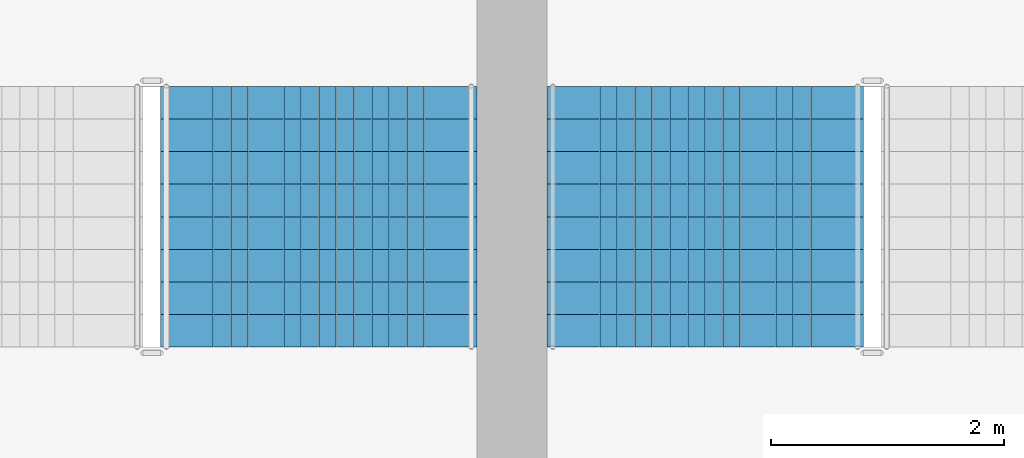
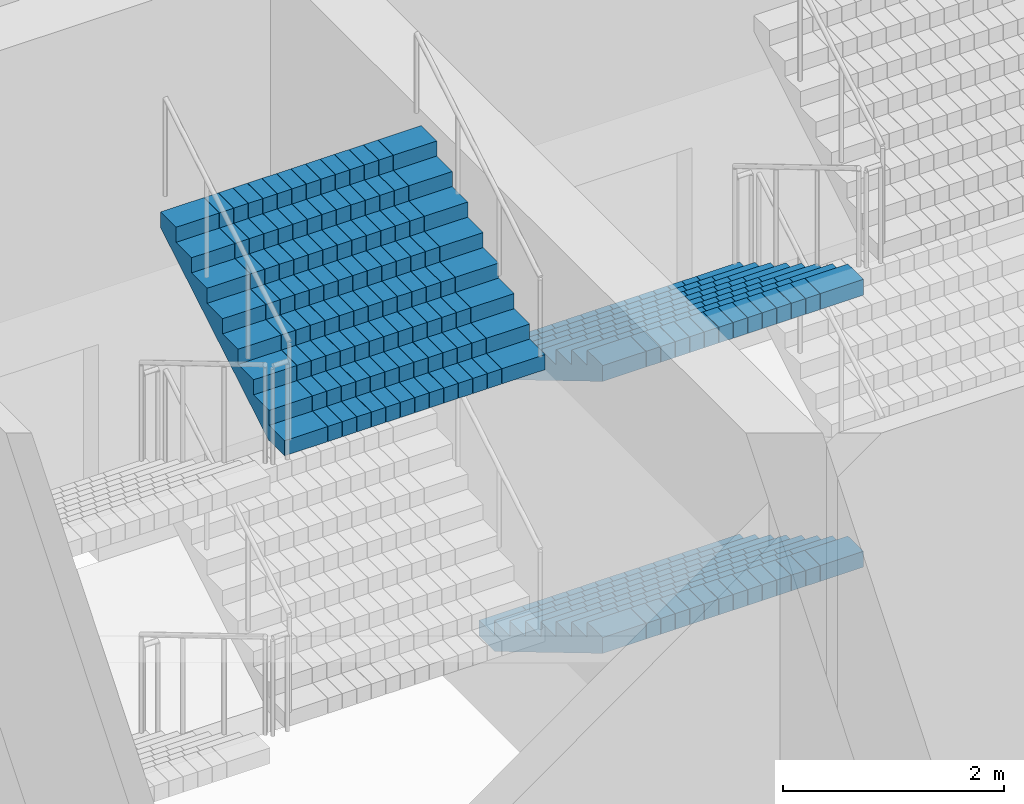
# One storey, part 19 of 41: 3 stair flights, 2 elements without a shape of their own.
"""IFC4 building model written with IfcOpenShell, lengths in metres."""

from ifc_helpers import new_model, si_unit, direction, frame, origin, place, context, subcontext, project, spatial, polyline, outline, extrude, material, type_object, element, aggregate, save


model = new_model("IFC4")

# Units and contexts
model_context = context("Model", 3, precision=1e-05, world=origin(), true_north=direction((0.0, 1.0)))
body_context = subcontext(model_context, "Body", "Model", "MODEL_VIEW")
ifc_project = project(units=[si_unit("LENGTHUNIT", "METRE"), si_unit("AREAUNIT", "SQUARE_METRE"), si_unit("VOLUMEUNIT", "CUBIC_METRE"), si_unit("PLANEANGLEUNIT", "RADIAN"), si_unit("MASSUNIT", "GRAM", prefix="KILO")], contexts=[model_context])

# Site, building, storey
site_placement = place(None, origin())
site = spatial("IfcSite", under=ifc_project, at=site_placement, CompositionType="ELEMENT")
building_placement = place(site_placement, origin())
building = spatial("IfcBuilding", under=site, at=building_placement, Name="Corbelhall Arena Tower", CompositionType="ELEMENT")
storey_placement = place(building_placement, frame((0.0, 0.0, 19.0)))
storey = spatial("IfcBuildingStorey", under=building, at=storey_placement, Name="L02", CompositionType="ELEMENT", Elevation=19.0)

# Stair, stair flights
ifc_material = material(Name="Reinforced concrete C40/50", Category="concrete")
stair_type = type_object("IfcStairType", Name="AR-EXIT-STAIR", PredefinedType="HALF_TURN_STAIR", material=ifc_material)
stair_1_placement = place(storey_placement, origin())
stair_1 = element("IfcStair", 1, at=stair_1_placement, inside=storey, type_object=stair_type, Name="L02 exit stair AS7", PredefinedType="HALF_TURN_STAIR")
stair_flight_type = type_object("IfcStairFlightType", Name="AR-EXIT-FLIGHT", PredefinedType="STRAIGHT", material=ifc_material)
stair_flight_1_placement = place(storey_placement, frame((-38.840087890625, -27.320068359375, 0.0), z_axis=(0.0, 0.0, 1.0), x_axis=(0.0, -1.0, 0.0)))
stair_flight_1 = element("IfcStairFlight", 2, at=stair_flight_1_placement, type_object=stair_flight_type, Name="AS7 flight 1", NumberOfRisers=9, NumberOfTreads=8, PredefinedType="STRAIGHT", RiserHeight=0.166666667, TreadLength=0.28, context=body_context, shape_type="SweptSolid", body=[
    extrude(outline(polyline([(0.0, 0.0), (0.0, 0.166748046875), (0.280029296875, 0.166748046875), (0.280029296875, 0.333251953125), (0.56005859375, 0.333251953125), (0.56005859375, 0.5), (0.840087890625, 0.5), (0.840087890625, 0.666748046875), (1.1201171875, 0.666748046875), (1.1201171875, 0.833251953125), (1.39990234375, 0.833251953125), (1.39990234375, 1.0), (1.679931640625, 1.0), (1.679931640625, 1.166748046875), (1.9599609375, 1.166748046875), (1.9599609375, 1.333251953125), (2.239990234375, 1.333251953125), (2.239990234375, 1.5), (2.239990234375, 1.158935546875), (0.29296875, 0.0), (0.0, 0.0)])), frame((0.0, 1.35986328125, 0.0), z_axis=(0.0, -1.0, 0.0), x_axis=(1.0, 0.0, 0.0)), (0.0, 0.0, 1.0), 0.449951171875),
    extrude(outline(polyline([(0.0, 0.0), (0.0, 0.166748046875), (0.280029296875, 0.166748046875), (0.280029296875, 0.333251953125), (0.56005859375, 0.333251953125), (0.56005859375, 0.5), (0.840087890625, 0.5), (0.840087890625, 0.666748046875), (1.1201171875, 0.666748046875), (1.1201171875, 0.833251953125), (1.39990234375, 0.833251953125), (1.39990234375, 1.0), (1.679931640625, 1.0), (1.679931640625, 1.166748046875), (1.9599609375, 1.166748046875), (1.9599609375, 1.333251953125), (2.239990234375, 1.333251953125), (2.239990234375, 1.5), (2.239990234375, 1.158935546875), (0.29296875, 0.0), (0.0, 0.0)])), frame((0.0, 0.906005859375, 0.0), z_axis=(0.0, -1.0, 0.0), x_axis=(1.0, 0.0, 0.0)), (0.0, 0.0, 1.0), 0.147216796875),
    extrude(outline(polyline([(0.0, 0.0), (0.0, 0.166748046875), (0.280029296875, 0.166748046875), (0.280029296875, 0.333251953125), (0.56005859375, 0.333251953125), (0.56005859375, 0.5), (0.840087890625, 0.5), (0.840087890625, 0.666748046875), (1.1201171875, 0.666748046875), (1.1201171875, 0.833251953125), (1.39990234375, 0.833251953125), (1.39990234375, 1.0), (1.679931640625, 1.0), (1.679931640625, 1.166748046875), (1.9599609375, 1.166748046875), (1.9599609375, 1.333251953125), (2.239990234375, 1.333251953125), (2.239990234375, 1.5), (2.239990234375, 1.158935546875), (0.29296875, 0.0), (0.0, 0.0)])), frame((0.0, 0.754638671875, 0.0), z_axis=(0.0, -1.0, 0.0), x_axis=(1.0, 0.0, 0.0)), (0.0, 0.0, 1.0), 0.147216796875),
    extrude(outline(polyline([(0.0, 0.0), (0.0, 0.166748046875), (0.280029296875, 0.166748046875), (0.280029296875, 0.333251953125), (0.56005859375, 0.333251953125), (0.56005859375, 0.5), (0.840087890625, 0.5), (0.840087890625, 0.666748046875), (1.1201171875, 0.666748046875), (1.1201171875, 0.833251953125), (1.39990234375, 0.833251953125), (1.39990234375, 1.0), (1.679931640625, 1.0), (1.679931640625, 1.166748046875), (1.9599609375, 1.166748046875), (1.9599609375, 1.333251953125), (2.239990234375, 1.333251953125), (2.239990234375, 1.5), (2.239990234375, 1.158935546875), (0.29296875, 0.0), (0.0, 0.0)])), frame((0.0, 0.603271484375, 0.0), z_axis=(0.0, -1.0, 0.0), x_axis=(1.0, 0.0, 0.0)), (0.0, 0.0, 1.0), 0.147216796875),
    extrude(outline(polyline([(0.0, 0.0), (0.0, 0.166748046875), (0.280029296875, 0.166748046875), (0.280029296875, 0.333251953125), (0.56005859375, 0.333251953125), (0.56005859375, 0.5), (0.840087890625, 0.5), (0.840087890625, 0.666748046875), (1.1201171875, 0.666748046875), (1.1201171875, 0.833251953125), (1.39990234375, 0.833251953125), (1.39990234375, 1.0), (1.679931640625, 1.0), (1.679931640625, 1.166748046875), (1.9599609375, 1.166748046875), (1.9599609375, 1.333251953125), (2.239990234375, 1.333251953125), (2.239990234375, 1.5), (2.239990234375, 1.158935546875), (0.29296875, 0.0), (0.0, 0.0)])), frame((0.0, 0.451904296875, 0.0), z_axis=(0.0, -1.0, 0.0), x_axis=(1.0, 0.0, 0.0)), (0.0, 0.0, 1.0), 0.147216796875),
    extrude(outline(polyline([(0.0, 0.0), (0.0, 0.166748046875), (0.280029296875, 0.166748046875), (0.280029296875, 0.333251953125), (0.56005859375, 0.333251953125), (0.56005859375, 0.5), (0.840087890625, 0.5), (0.840087890625, 0.666748046875), (1.1201171875, 0.666748046875), (1.1201171875, 0.833251953125), (1.39990234375, 0.833251953125), (1.39990234375, 1.0), (1.679931640625, 1.0), (1.679931640625, 1.166748046875), (1.9599609375, 1.166748046875), (1.9599609375, 1.333251953125), (2.239990234375, 1.333251953125), (2.239990234375, 1.5), (2.239990234375, 1.158935546875), (0.29296875, 0.0), (0.0, 0.0)])), frame((0.0, 0.30078125, 0.0), z_axis=(0.0, -1.0, 0.0), x_axis=(1.0, 0.0, 0.0)), (0.0, 0.0, 1.0), 0.147216796875),
    extrude(outline(polyline([(0.0, 0.0), (0.0, 0.166748046875), (0.280029296875, 0.166748046875), (0.280029296875, 0.333251953125), (0.56005859375, 0.333251953125), (0.56005859375, 0.5), (0.840087890625, 0.5), (0.840087890625, 0.666748046875), (1.1201171875, 0.666748046875), (1.1201171875, 0.833251953125), (1.39990234375, 0.833251953125), (1.39990234375, 1.0), (1.679931640625, 1.0), (1.679931640625, 1.166748046875), (1.9599609375, 1.166748046875), (1.9599609375, 1.333251953125), (2.239990234375, 1.333251953125), (2.239990234375, 1.5), (2.239990234375, 1.158935546875), (0.29296875, 0.0), (0.0, 0.0)])), frame((0.0, 0.1494140625, 0.0), z_axis=(0.0, -1.0, 0.0), x_axis=(1.0, 0.0, 0.0)), (0.0, 0.0, 1.0), 0.147216796875),
    extrude(outline(polyline([(0.0, 0.0), (0.0, 0.166748046875), (0.280029296875, 0.166748046875), (0.280029296875, 0.333251953125), (0.56005859375, 0.333251953125), (0.56005859375, 0.5), (0.840087890625, 0.5), (0.840087890625, 0.666748046875), (1.1201171875, 0.666748046875), (1.1201171875, 0.833251953125), (1.39990234375, 0.833251953125), (1.39990234375, 1.0), (1.679931640625, 1.0), (1.679931640625, 1.166748046875), (1.9599609375, 1.166748046875), (1.9599609375, 1.333251953125), (2.239990234375, 1.333251953125), (2.239990234375, 1.5), (2.239990234375, 1.158935546875), (0.29296875, 0.0), (0.0, 0.0)])), frame((0.0, -0.001953125, 0.0), z_axis=(0.0, -1.0, 0.0), x_axis=(1.0, 0.0, 0.0)), (0.0, 0.0, 1.0), 0.147216796875),
    extrude(outline(polyline([(0.0, 0.0), (0.0, 0.166748046875), (0.280029296875, 0.166748046875), (0.280029296875, 0.333251953125), (0.56005859375, 0.333251953125), (0.56005859375, 0.5), (0.840087890625, 0.5), (0.840087890625, 0.666748046875), (1.1201171875, 0.666748046875), (1.1201171875, 0.833251953125), (1.39990234375, 0.833251953125), (1.39990234375, 1.0), (1.679931640625, 1.0), (1.679931640625, 1.166748046875), (1.9599609375, 1.166748046875), (1.9599609375, 1.333251953125), (2.239990234375, 1.333251953125), (2.239990234375, 1.5), (2.239990234375, 1.158935546875), (0.29296875, 0.0), (0.0, 0.0)])), frame((0.0, -0.1533203125, 0.0), z_axis=(0.0, -1.0, 0.0), x_axis=(1.0, 0.0, 0.0)), (0.0, 0.0, 1.0), 0.147216796875),
    extrude(outline(polyline([(0.0, 0.0), (0.0, 0.166748046875), (0.280029296875, 0.166748046875), (0.280029296875, 0.333251953125), (0.56005859375, 0.333251953125), (0.56005859375, 0.5), (0.840087890625, 0.5), (0.840087890625, 0.666748046875), (1.1201171875, 0.666748046875), (1.1201171875, 0.833251953125), (1.39990234375, 0.833251953125), (1.39990234375, 1.0), (1.679931640625, 1.0), (1.679931640625, 1.166748046875), (1.9599609375, 1.166748046875), (1.9599609375, 1.333251953125), (2.239990234375, 1.333251953125), (2.239990234375, 1.5), (2.239990234375, 1.158935546875), (0.29296875, 0.0), (0.0, 0.0)])), frame((0.0, -0.3046875, 0.0), z_axis=(0.0, -1.0, 0.0), x_axis=(1.0, 0.0, 0.0)), (0.0, 0.0, 1.0), 0.147216796875),
    extrude(outline(polyline([(0.0, 0.0), (0.0, 0.166748046875), (0.280029296875, 0.166748046875), (0.280029296875, 0.333251953125), (0.56005859375, 0.333251953125), (0.56005859375, 0.5), (0.840087890625, 0.5), (0.840087890625, 0.666748046875), (1.1201171875, 0.666748046875), (1.1201171875, 0.833251953125), (1.39990234375, 0.833251953125), (1.39990234375, 1.0), (1.679931640625, 1.0), (1.679931640625, 1.166748046875), (1.9599609375, 1.166748046875), (1.9599609375, 1.333251953125), (2.239990234375, 1.333251953125), (2.239990234375, 1.5), (2.239990234375, 1.158935546875), (0.29296875, 0.0), (0.0, 0.0)])), frame((0.0, -0.4560546875, 0.0), z_axis=(0.0, -1.0, 0.0), x_axis=(1.0, 0.0, 0.0)), (0.0, 0.0, 1.0), 0.147216796875),
    extrude(outline(polyline([(0.0, 0.0), (0.0, 0.166748046875), (0.280029296875, 0.166748046875), (0.280029296875, 0.333251953125), (0.56005859375, 0.333251953125), (0.56005859375, 0.5), (0.840087890625, 0.5), (0.840087890625, 0.666748046875), (1.1201171875, 0.666748046875), (1.1201171875, 0.833251953125), (1.39990234375, 0.833251953125), (1.39990234375, 1.0), (1.679931640625, 1.0), (1.679931640625, 1.166748046875), (1.9599609375, 1.166748046875), (1.9599609375, 1.333251953125), (2.239990234375, 1.333251953125), (2.239990234375, 1.5), (2.239990234375, 1.158935546875), (0.29296875, 0.0), (0.0, 0.0)])), frame((0.0, -0.607421875, 0.0), z_axis=(0.0, -1.0, 0.0), x_axis=(1.0, 0.0, 0.0)), (0.0, 0.0, 1.0), 0.147216796875),
    extrude(outline(polyline([(0.0, 0.0), (0.0, 0.166748046875), (0.280029296875, 0.166748046875), (0.280029296875, 0.333251953125), (0.56005859375, 0.333251953125), (0.56005859375, 0.5), (0.840087890625, 0.5), (0.840087890625, 0.666748046875), (1.1201171875, 0.666748046875), (1.1201171875, 0.833251953125), (1.39990234375, 0.833251953125), (1.39990234375, 1.0), (1.679931640625, 1.0), (1.679931640625, 1.166748046875), (1.9599609375, 1.166748046875), (1.9599609375, 1.333251953125), (2.239990234375, 1.333251953125), (2.239990234375, 1.5), (2.239990234375, 1.158935546875), (0.29296875, 0.0), (0.0, 0.0)])), frame((0.0, -0.758544921875, 0.0), z_axis=(0.0, -1.0, 0.0), x_axis=(1.0, 0.0, 0.0)), (0.0, 0.0, 1.0), 0.147216796875),
    extrude(outline(polyline([(0.0, 0.0), (0.0, 0.166748046875), (0.280029296875, 0.166748046875), (0.280029296875, 0.333251953125), (0.56005859375, 0.333251953125), (0.56005859375, 0.5), (0.840087890625, 0.5), (0.840087890625, 0.666748046875), (1.1201171875, 0.666748046875), (1.1201171875, 0.833251953125), (1.39990234375, 0.833251953125), (1.39990234375, 1.0), (1.679931640625, 1.0), (1.679931640625, 1.166748046875), (1.9599609375, 1.166748046875), (1.9599609375, 1.333251953125), (2.239990234375, 1.333251953125), (2.239990234375, 1.5), (2.239990234375, 1.158935546875), (0.29296875, 0.0), (0.0, 0.0)])), frame((0.0, -0.909912109375, 0.0), z_axis=(0.0, -1.0, 0.0), x_axis=(1.0, 0.0, 0.0)), (0.0, 0.0, 1.0), 0.449951171875),
])
stair_flight_2_placement = place(storey_placement, frame((-38.840087890625, -27.320068359375, 3.0), z_axis=(0.0, 0.0, 1.0), x_axis=(0.0, -1.0, 0.0)))
stair_flight_2 = element("IfcStairFlight", 3, at=stair_flight_2_placement, type_object=stair_flight_type, Name="AS7 flight 3", NumberOfRisers=9, NumberOfTreads=8, PredefinedType="STRAIGHT", RiserHeight=0.166666667, TreadLength=0.28, context=body_context, shape_type="SweptSolid", body=[
    extrude(outline(polyline([(0.0, 0.0), (0.0, 0.166748046875), (0.280029296875, 0.166748046875), (0.280029296875, 0.333251953125), (0.56005859375, 0.333251953125), (0.56005859375, 0.5), (0.840087890625, 0.5), (0.840087890625, 0.666748046875), (1.1201171875, 0.666748046875), (1.1201171875, 0.833251953125), (1.39990234375, 0.833251953125), (1.39990234375, 1.0), (1.679931640625, 1.0), (1.679931640625, 1.166748046875), (1.9599609375, 1.166748046875), (1.9599609375, 1.333251953125), (2.239990234375, 1.333251953125), (2.239990234375, 1.5), (2.239990234375, 1.158935546875), (0.29296875, 0.0), (0.0, 0.0)])), frame((0.0, 1.35986328125, 0.0), z_axis=(0.0, -1.0, 0.0), x_axis=(1.0, 0.0, 0.0)), (0.0, 0.0, 1.0), 0.449951171875),
    extrude(outline(polyline([(0.0, 0.0), (0.0, 0.166748046875), (0.280029296875, 0.166748046875), (0.280029296875, 0.333251953125), (0.56005859375, 0.333251953125), (0.56005859375, 0.5), (0.840087890625, 0.5), (0.840087890625, 0.666748046875), (1.1201171875, 0.666748046875), (1.1201171875, 0.833251953125), (1.39990234375, 0.833251953125), (1.39990234375, 1.0), (1.679931640625, 1.0), (1.679931640625, 1.166748046875), (1.9599609375, 1.166748046875), (1.9599609375, 1.333251953125), (2.239990234375, 1.333251953125), (2.239990234375, 1.5), (2.239990234375, 1.158935546875), (0.29296875, 0.0), (0.0, 0.0)])), frame((0.0, 0.906005859375, 0.0), z_axis=(0.0, -1.0, 0.0), x_axis=(1.0, 0.0, 0.0)), (0.0, 0.0, 1.0), 0.147216796875),
    extrude(outline(polyline([(0.0, 0.0), (0.0, 0.166748046875), (0.280029296875, 0.166748046875), (0.280029296875, 0.333251953125), (0.56005859375, 0.333251953125), (0.56005859375, 0.5), (0.840087890625, 0.5), (0.840087890625, 0.666748046875), (1.1201171875, 0.666748046875), (1.1201171875, 0.833251953125), (1.39990234375, 0.833251953125), (1.39990234375, 1.0), (1.679931640625, 1.0), (1.679931640625, 1.166748046875), (1.9599609375, 1.166748046875), (1.9599609375, 1.333251953125), (2.239990234375, 1.333251953125), (2.239990234375, 1.5), (2.239990234375, 1.158935546875), (0.29296875, 0.0), (0.0, 0.0)])), frame((0.0, 0.754638671875, 0.0), z_axis=(0.0, -1.0, 0.0), x_axis=(1.0, 0.0, 0.0)), (0.0, 0.0, 1.0), 0.147216796875),
    extrude(outline(polyline([(0.0, 0.0), (0.0, 0.166748046875), (0.280029296875, 0.166748046875), (0.280029296875, 0.333251953125), (0.56005859375, 0.333251953125), (0.56005859375, 0.5), (0.840087890625, 0.5), (0.840087890625, 0.666748046875), (1.1201171875, 0.666748046875), (1.1201171875, 0.833251953125), (1.39990234375, 0.833251953125), (1.39990234375, 1.0), (1.679931640625, 1.0), (1.679931640625, 1.166748046875), (1.9599609375, 1.166748046875), (1.9599609375, 1.333251953125), (2.239990234375, 1.333251953125), (2.239990234375, 1.5), (2.239990234375, 1.158935546875), (0.29296875, 0.0), (0.0, 0.0)])), frame((0.0, 0.603271484375, 0.0), z_axis=(0.0, -1.0, 0.0), x_axis=(1.0, 0.0, 0.0)), (0.0, 0.0, 1.0), 0.147216796875),
    extrude(outline(polyline([(0.0, 0.0), (0.0, 0.166748046875), (0.280029296875, 0.166748046875), (0.280029296875, 0.333251953125), (0.56005859375, 0.333251953125), (0.56005859375, 0.5), (0.840087890625, 0.5), (0.840087890625, 0.666748046875), (1.1201171875, 0.666748046875), (1.1201171875, 0.833251953125), (1.39990234375, 0.833251953125), (1.39990234375, 1.0), (1.679931640625, 1.0), (1.679931640625, 1.166748046875), (1.9599609375, 1.166748046875), (1.9599609375, 1.333251953125), (2.239990234375, 1.333251953125), (2.239990234375, 1.5), (2.239990234375, 1.158935546875), (0.29296875, 0.0), (0.0, 0.0)])), frame((0.0, 0.451904296875, 0.0), z_axis=(0.0, -1.0, 0.0), x_axis=(1.0, 0.0, 0.0)), (0.0, 0.0, 1.0), 0.147216796875),
    extrude(outline(polyline([(0.0, 0.0), (0.0, 0.166748046875), (0.280029296875, 0.166748046875), (0.280029296875, 0.333251953125), (0.56005859375, 0.333251953125), (0.56005859375, 0.5), (0.840087890625, 0.5), (0.840087890625, 0.666748046875), (1.1201171875, 0.666748046875), (1.1201171875, 0.833251953125), (1.39990234375, 0.833251953125), (1.39990234375, 1.0), (1.679931640625, 1.0), (1.679931640625, 1.166748046875), (1.9599609375, 1.166748046875), (1.9599609375, 1.333251953125), (2.239990234375, 1.333251953125), (2.239990234375, 1.5), (2.239990234375, 1.158935546875), (0.29296875, 0.0), (0.0, 0.0)])), frame((0.0, 0.30078125, 0.0), z_axis=(0.0, -1.0, 0.0), x_axis=(1.0, 0.0, 0.0)), (0.0, 0.0, 1.0), 0.147216796875),
    extrude(outline(polyline([(0.0, 0.0), (0.0, 0.166748046875), (0.280029296875, 0.166748046875), (0.280029296875, 0.333251953125), (0.56005859375, 0.333251953125), (0.56005859375, 0.5), (0.840087890625, 0.5), (0.840087890625, 0.666748046875), (1.1201171875, 0.666748046875), (1.1201171875, 0.833251953125), (1.39990234375, 0.833251953125), (1.39990234375, 1.0), (1.679931640625, 1.0), (1.679931640625, 1.166748046875), (1.9599609375, 1.166748046875), (1.9599609375, 1.333251953125), (2.239990234375, 1.333251953125), (2.239990234375, 1.5), (2.239990234375, 1.158935546875), (0.29296875, 0.0), (0.0, 0.0)])), frame((0.0, 0.1494140625, 0.0), z_axis=(0.0, -1.0, 0.0), x_axis=(1.0, 0.0, 0.0)), (0.0, 0.0, 1.0), 0.147216796875),
    extrude(outline(polyline([(0.0, 0.0), (0.0, 0.166748046875), (0.280029296875, 0.166748046875), (0.280029296875, 0.333251953125), (0.56005859375, 0.333251953125), (0.56005859375, 0.5), (0.840087890625, 0.5), (0.840087890625, 0.666748046875), (1.1201171875, 0.666748046875), (1.1201171875, 0.833251953125), (1.39990234375, 0.833251953125), (1.39990234375, 1.0), (1.679931640625, 1.0), (1.679931640625, 1.166748046875), (1.9599609375, 1.166748046875), (1.9599609375, 1.333251953125), (2.239990234375, 1.333251953125), (2.239990234375, 1.5), (2.239990234375, 1.158935546875), (0.29296875, 0.0), (0.0, 0.0)])), frame((0.0, -0.001953125, 0.0), z_axis=(0.0, -1.0, 0.0), x_axis=(1.0, 0.0, 0.0)), (0.0, 0.0, 1.0), 0.147216796875),
    extrude(outline(polyline([(0.0, 0.0), (0.0, 0.166748046875), (0.280029296875, 0.166748046875), (0.280029296875, 0.333251953125), (0.56005859375, 0.333251953125), (0.56005859375, 0.5), (0.840087890625, 0.5), (0.840087890625, 0.666748046875), (1.1201171875, 0.666748046875), (1.1201171875, 0.833251953125), (1.39990234375, 0.833251953125), (1.39990234375, 1.0), (1.679931640625, 1.0), (1.679931640625, 1.166748046875), (1.9599609375, 1.166748046875), (1.9599609375, 1.333251953125), (2.239990234375, 1.333251953125), (2.239990234375, 1.5), (2.239990234375, 1.158935546875), (0.29296875, 0.0), (0.0, 0.0)])), frame((0.0, -0.1533203125, 0.0), z_axis=(0.0, -1.0, 0.0), x_axis=(1.0, 0.0, 0.0)), (0.0, 0.0, 1.0), 0.147216796875),
    extrude(outline(polyline([(0.0, 0.0), (0.0, 0.166748046875), (0.280029296875, 0.166748046875), (0.280029296875, 0.333251953125), (0.56005859375, 0.333251953125), (0.56005859375, 0.5), (0.840087890625, 0.5), (0.840087890625, 0.666748046875), (1.1201171875, 0.666748046875), (1.1201171875, 0.833251953125), (1.39990234375, 0.833251953125), (1.39990234375, 1.0), (1.679931640625, 1.0), (1.679931640625, 1.166748046875), (1.9599609375, 1.166748046875), (1.9599609375, 1.333251953125), (2.239990234375, 1.333251953125), (2.239990234375, 1.5), (2.239990234375, 1.158935546875), (0.29296875, 0.0), (0.0, 0.0)])), frame((0.0, -0.3046875, 0.0), z_axis=(0.0, -1.0, 0.0), x_axis=(1.0, 0.0, 0.0)), (0.0, 0.0, 1.0), 0.147216796875),
    extrude(outline(polyline([(0.0, 0.0), (0.0, 0.166748046875), (0.280029296875, 0.166748046875), (0.280029296875, 0.333251953125), (0.56005859375, 0.333251953125), (0.56005859375, 0.5), (0.840087890625, 0.5), (0.840087890625, 0.666748046875), (1.1201171875, 0.666748046875), (1.1201171875, 0.833251953125), (1.39990234375, 0.833251953125), (1.39990234375, 1.0), (1.679931640625, 1.0), (1.679931640625, 1.166748046875), (1.9599609375, 1.166748046875), (1.9599609375, 1.333251953125), (2.239990234375, 1.333251953125), (2.239990234375, 1.5), (2.239990234375, 1.158935546875), (0.29296875, 0.0), (0.0, 0.0)])), frame((0.0, -0.4560546875, 0.0), z_axis=(0.0, -1.0, 0.0), x_axis=(1.0, 0.0, 0.0)), (0.0, 0.0, 1.0), 0.147216796875),
    extrude(outline(polyline([(0.0, 0.0), (0.0, 0.166748046875), (0.280029296875, 0.166748046875), (0.280029296875, 0.333251953125), (0.56005859375, 0.333251953125), (0.56005859375, 0.5), (0.840087890625, 0.5), (0.840087890625, 0.666748046875), (1.1201171875, 0.666748046875), (1.1201171875, 0.833251953125), (1.39990234375, 0.833251953125), (1.39990234375, 1.0), (1.679931640625, 1.0), (1.679931640625, 1.166748046875), (1.9599609375, 1.166748046875), (1.9599609375, 1.333251953125), (2.239990234375, 1.333251953125), (2.239990234375, 1.5), (2.239990234375, 1.158935546875), (0.29296875, 0.0), (0.0, 0.0)])), frame((0.0, -0.607421875, 0.0), z_axis=(0.0, -1.0, 0.0), x_axis=(1.0, 0.0, 0.0)), (0.0, 0.0, 1.0), 0.147216796875),
    extrude(outline(polyline([(0.0, 0.0), (0.0, 0.166748046875), (0.280029296875, 0.166748046875), (0.280029296875, 0.333251953125), (0.56005859375, 0.333251953125), (0.56005859375, 0.5), (0.840087890625, 0.5), (0.840087890625, 0.666748046875), (1.1201171875, 0.666748046875), (1.1201171875, 0.833251953125), (1.39990234375, 0.833251953125), (1.39990234375, 1.0), (1.679931640625, 1.0), (1.679931640625, 1.166748046875), (1.9599609375, 1.166748046875), (1.9599609375, 1.333251953125), (2.239990234375, 1.333251953125), (2.239990234375, 1.5), (2.239990234375, 1.158935546875), (0.29296875, 0.0), (0.0, 0.0)])), frame((0.0, -0.758544921875, 0.0), z_axis=(0.0, -1.0, 0.0), x_axis=(1.0, 0.0, 0.0)), (0.0, 0.0, 1.0), 0.147216796875),
    extrude(outline(polyline([(0.0, 0.0), (0.0, 0.166748046875), (0.280029296875, 0.166748046875), (0.280029296875, 0.333251953125), (0.56005859375, 0.333251953125), (0.56005859375, 0.5), (0.840087890625, 0.5), (0.840087890625, 0.666748046875), (1.1201171875, 0.666748046875), (1.1201171875, 0.833251953125), (1.39990234375, 0.833251953125), (1.39990234375, 1.0), (1.679931640625, 1.0), (1.679931640625, 1.166748046875), (1.9599609375, 1.166748046875), (1.9599609375, 1.333251953125), (2.239990234375, 1.333251953125), (2.239990234375, 1.5), (2.239990234375, 1.158935546875), (0.29296875, 0.0), (0.0, 0.0)])), frame((0.0, -0.909912109375, 0.0), z_axis=(0.0, -1.0, 0.0), x_axis=(1.0, 0.0, 0.0)), (0.0, 0.0, 1.0), 0.449951171875),
])
aggregate(stair_1, [stair_flight_1, stair_flight_2])

# Stair, stair flight
stair_2_placement = place(storey_placement, origin())
stair_2 = element("IfcStair", 4, at=stair_2_placement, inside=storey, type_object=stair_type, Name="L02 exit stair AS8", PredefinedType="HALF_TURN_STAIR")
stair_flight_3_placement = place(storey_placement, frame((-42.159912109375, -29.56005859375, 4.5), z_axis=(0.0, 0.0, 1.0), x_axis=(0.0, 1.0, 0.0)))
stair_flight_3 = element("IfcStairFlight", 5, at=stair_flight_3_placement, type_object=stair_flight_type, Name="AS8 flight 4", NumberOfRisers=9, NumberOfTreads=8, PredefinedType="STRAIGHT", RiserHeight=0.166666667, TreadLength=0.28, context=body_context, shape_type="SweptSolid", body=[
    extrude(outline(polyline([(0.0, 0.0), (0.0, 0.166748046875), (0.280029296875, 0.166748046875), (0.280029296875, 0.333251953125), (0.56005859375, 0.333251953125), (0.56005859375, 0.5), (0.840087890625, 0.5), (0.840087890625, 0.666748046875), (1.1201171875, 0.666748046875), (1.1201171875, 0.833251953125), (1.39990234375, 0.833251953125), (1.39990234375, 1.0), (1.679931640625, 1.0), (1.679931640625, 1.166748046875), (1.9599609375, 1.166748046875), (1.9599609375, 1.333251953125), (2.239990234375, 1.333251953125), (2.239990234375, 1.5), (2.239990234375, 1.158935546875), (0.29296875, 0.0), (0.0, 0.0)])), frame((0.0, 1.35986328125, 0.0), z_axis=(0.0, -1.0, 0.0), x_axis=(1.0, 0.0, 0.0)), (0.0, 0.0, 1.0), 0.449951171875),
    extrude(outline(polyline([(0.0, 0.0), (0.0, 0.166748046875), (0.280029296875, 0.166748046875), (0.280029296875, 0.333251953125), (0.56005859375, 0.333251953125), (0.56005859375, 0.5), (0.840087890625, 0.5), (0.840087890625, 0.666748046875), (1.1201171875, 0.666748046875), (1.1201171875, 0.833251953125), (1.39990234375, 0.833251953125), (1.39990234375, 1.0), (1.679931640625, 1.0), (1.679931640625, 1.166748046875), (1.9599609375, 1.166748046875), (1.9599609375, 1.333251953125), (2.239990234375, 1.333251953125), (2.239990234375, 1.5), (2.239990234375, 1.158935546875), (0.29296875, 0.0), (0.0, 0.0)])), frame((0.0, 0.906005859375, 0.0), z_axis=(0.0, -1.0, 0.0), x_axis=(1.0, 0.0, 0.0)), (0.0, 0.0, 1.0), 0.147216796875),
    extrude(outline(polyline([(0.0, 0.0), (0.0, 0.166748046875), (0.280029296875, 0.166748046875), (0.280029296875, 0.333251953125), (0.56005859375, 0.333251953125), (0.56005859375, 0.5), (0.840087890625, 0.5), (0.840087890625, 0.666748046875), (1.1201171875, 0.666748046875), (1.1201171875, 0.833251953125), (1.39990234375, 0.833251953125), (1.39990234375, 1.0), (1.679931640625, 1.0), (1.679931640625, 1.166748046875), (1.9599609375, 1.166748046875), (1.9599609375, 1.333251953125), (2.239990234375, 1.333251953125), (2.239990234375, 1.5), (2.239990234375, 1.158935546875), (0.29296875, 0.0), (0.0, 0.0)])), frame((0.0, 0.754638671875, 0.0), z_axis=(0.0, -1.0, 0.0), x_axis=(1.0, 0.0, 0.0)), (0.0, 0.0, 1.0), 0.147216796875),
    extrude(outline(polyline([(0.0, 0.0), (0.0, 0.166748046875), (0.280029296875, 0.166748046875), (0.280029296875, 0.333251953125), (0.56005859375, 0.333251953125), (0.56005859375, 0.5), (0.840087890625, 0.5), (0.840087890625, 0.666748046875), (1.1201171875, 0.666748046875), (1.1201171875, 0.833251953125), (1.39990234375, 0.833251953125), (1.39990234375, 1.0), (1.679931640625, 1.0), (1.679931640625, 1.166748046875), (1.9599609375, 1.166748046875), (1.9599609375, 1.333251953125), (2.239990234375, 1.333251953125), (2.239990234375, 1.5), (2.239990234375, 1.158935546875), (0.29296875, 0.0), (0.0, 0.0)])), frame((0.0, 0.603271484375, 0.0), z_axis=(0.0, -1.0, 0.0), x_axis=(1.0, 0.0, 0.0)), (0.0, 0.0, 1.0), 0.147216796875),
    extrude(outline(polyline([(0.0, 0.0), (0.0, 0.166748046875), (0.280029296875, 0.166748046875), (0.280029296875, 0.333251953125), (0.56005859375, 0.333251953125), (0.56005859375, 0.5), (0.840087890625, 0.5), (0.840087890625, 0.666748046875), (1.1201171875, 0.666748046875), (1.1201171875, 0.833251953125), (1.39990234375, 0.833251953125), (1.39990234375, 1.0), (1.679931640625, 1.0), (1.679931640625, 1.166748046875), (1.9599609375, 1.166748046875), (1.9599609375, 1.333251953125), (2.239990234375, 1.333251953125), (2.239990234375, 1.5), (2.239990234375, 1.158935546875), (0.29296875, 0.0), (0.0, 0.0)])), frame((0.0, 0.451904296875, 0.0), z_axis=(0.0, -1.0, 0.0), x_axis=(1.0, 0.0, 0.0)), (0.0, 0.0, 1.0), 0.147216796875),
    extrude(outline(polyline([(0.0, 0.0), (0.0, 0.166748046875), (0.280029296875, 0.166748046875), (0.280029296875, 0.333251953125), (0.56005859375, 0.333251953125), (0.56005859375, 0.5), (0.840087890625, 0.5), (0.840087890625, 0.666748046875), (1.1201171875, 0.666748046875), (1.1201171875, 0.833251953125), (1.39990234375, 0.833251953125), (1.39990234375, 1.0), (1.679931640625, 1.0), (1.679931640625, 1.166748046875), (1.9599609375, 1.166748046875), (1.9599609375, 1.333251953125), (2.239990234375, 1.333251953125), (2.239990234375, 1.5), (2.239990234375, 1.158935546875), (0.29296875, 0.0), (0.0, 0.0)])), frame((0.0, 0.30078125, 0.0), z_axis=(0.0, -1.0, 0.0), x_axis=(1.0, 0.0, 0.0)), (0.0, 0.0, 1.0), 0.147216796875),
    extrude(outline(polyline([(0.0, 0.0), (0.0, 0.166748046875), (0.280029296875, 0.166748046875), (0.280029296875, 0.333251953125), (0.56005859375, 0.333251953125), (0.56005859375, 0.5), (0.840087890625, 0.5), (0.840087890625, 0.666748046875), (1.1201171875, 0.666748046875), (1.1201171875, 0.833251953125), (1.39990234375, 0.833251953125), (1.39990234375, 1.0), (1.679931640625, 1.0), (1.679931640625, 1.166748046875), (1.9599609375, 1.166748046875), (1.9599609375, 1.333251953125), (2.239990234375, 1.333251953125), (2.239990234375, 1.5), (2.239990234375, 1.158935546875), (0.29296875, 0.0), (0.0, 0.0)])), frame((0.0, 0.1494140625, 0.0), z_axis=(0.0, -1.0, 0.0), x_axis=(1.0, 0.0, 0.0)), (0.0, 0.0, 1.0), 0.147216796875),
    extrude(outline(polyline([(0.0, 0.0), (0.0, 0.166748046875), (0.280029296875, 0.166748046875), (0.280029296875, 0.333251953125), (0.56005859375, 0.333251953125), (0.56005859375, 0.5), (0.840087890625, 0.5), (0.840087890625, 0.666748046875), (1.1201171875, 0.666748046875), (1.1201171875, 0.833251953125), (1.39990234375, 0.833251953125), (1.39990234375, 1.0), (1.679931640625, 1.0), (1.679931640625, 1.166748046875), (1.9599609375, 1.166748046875), (1.9599609375, 1.333251953125), (2.239990234375, 1.333251953125), (2.239990234375, 1.5), (2.239990234375, 1.158935546875), (0.29296875, 0.0), (0.0, 0.0)])), frame((0.0, -0.001953125, 0.0), z_axis=(0.0, -1.0, 0.0), x_axis=(1.0, 0.0, 0.0)), (0.0, 0.0, 1.0), 0.147216796875),
    extrude(outline(polyline([(0.0, 0.0), (0.0, 0.166748046875), (0.280029296875, 0.166748046875), (0.280029296875, 0.333251953125), (0.56005859375, 0.333251953125), (0.56005859375, 0.5), (0.840087890625, 0.5), (0.840087890625, 0.666748046875), (1.1201171875, 0.666748046875), (1.1201171875, 0.833251953125), (1.39990234375, 0.833251953125), (1.39990234375, 1.0), (1.679931640625, 1.0), (1.679931640625, 1.166748046875), (1.9599609375, 1.166748046875), (1.9599609375, 1.333251953125), (2.239990234375, 1.333251953125), (2.239990234375, 1.5), (2.239990234375, 1.158935546875), (0.29296875, 0.0), (0.0, 0.0)])), frame((0.0, -0.1533203125, 0.0), z_axis=(0.0, -1.0, 0.0), x_axis=(1.0, 0.0, 0.0)), (0.0, 0.0, 1.0), 0.147216796875),
    extrude(outline(polyline([(0.0, 0.0), (0.0, 0.166748046875), (0.280029296875, 0.166748046875), (0.280029296875, 0.333251953125), (0.56005859375, 0.333251953125), (0.56005859375, 0.5), (0.840087890625, 0.5), (0.840087890625, 0.666748046875), (1.1201171875, 0.666748046875), (1.1201171875, 0.833251953125), (1.39990234375, 0.833251953125), (1.39990234375, 1.0), (1.679931640625, 1.0), (1.679931640625, 1.166748046875), (1.9599609375, 1.166748046875), (1.9599609375, 1.333251953125), (2.239990234375, 1.333251953125), (2.239990234375, 1.5), (2.239990234375, 1.158935546875), (0.29296875, 0.0), (0.0, 0.0)])), frame((0.0, -0.3046875, 0.0), z_axis=(0.0, -1.0, 0.0), x_axis=(1.0, 0.0, 0.0)), (0.0, 0.0, 1.0), 0.147216796875),
    extrude(outline(polyline([(0.0, 0.0), (0.0, 0.166748046875), (0.280029296875, 0.166748046875), (0.280029296875, 0.333251953125), (0.56005859375, 0.333251953125), (0.56005859375, 0.5), (0.840087890625, 0.5), (0.840087890625, 0.666748046875), (1.1201171875, 0.666748046875), (1.1201171875, 0.833251953125), (1.39990234375, 0.833251953125), (1.39990234375, 1.0), (1.679931640625, 1.0), (1.679931640625, 1.166748046875), (1.9599609375, 1.166748046875), (1.9599609375, 1.333251953125), (2.239990234375, 1.333251953125), (2.239990234375, 1.5), (2.239990234375, 1.158935546875), (0.29296875, 0.0), (0.0, 0.0)])), frame((0.0, -0.4560546875, 0.0), z_axis=(0.0, -1.0, 0.0), x_axis=(1.0, 0.0, 0.0)), (0.0, 0.0, 1.0), 0.147216796875),
    extrude(outline(polyline([(0.0, 0.0), (0.0, 0.166748046875), (0.280029296875, 0.166748046875), (0.280029296875, 0.333251953125), (0.56005859375, 0.333251953125), (0.56005859375, 0.5), (0.840087890625, 0.5), (0.840087890625, 0.666748046875), (1.1201171875, 0.666748046875), (1.1201171875, 0.833251953125), (1.39990234375, 0.833251953125), (1.39990234375, 1.0), (1.679931640625, 1.0), (1.679931640625, 1.166748046875), (1.9599609375, 1.166748046875), (1.9599609375, 1.333251953125), (2.239990234375, 1.333251953125), (2.239990234375, 1.5), (2.239990234375, 1.158935546875), (0.29296875, 0.0), (0.0, 0.0)])), frame((0.0, -0.607421875, 0.0), z_axis=(0.0, -1.0, 0.0), x_axis=(1.0, 0.0, 0.0)), (0.0, 0.0, 1.0), 0.147216796875),
    extrude(outline(polyline([(0.0, 0.0), (0.0, 0.166748046875), (0.280029296875, 0.166748046875), (0.280029296875, 0.333251953125), (0.56005859375, 0.333251953125), (0.56005859375, 0.5), (0.840087890625, 0.5), (0.840087890625, 0.666748046875), (1.1201171875, 0.666748046875), (1.1201171875, 0.833251953125), (1.39990234375, 0.833251953125), (1.39990234375, 1.0), (1.679931640625, 1.0), (1.679931640625, 1.166748046875), (1.9599609375, 1.166748046875), (1.9599609375, 1.333251953125), (2.239990234375, 1.333251953125), (2.239990234375, 1.5), (2.239990234375, 1.158935546875), (0.29296875, 0.0), (0.0, 0.0)])), frame((0.0, -0.758544921875, 0.0), z_axis=(0.0, -1.0, 0.0), x_axis=(1.0, 0.0, 0.0)), (0.0, 0.0, 1.0), 0.147216796875),
    extrude(outline(polyline([(0.0, 0.0), (0.0, 0.166748046875), (0.280029296875, 0.166748046875), (0.280029296875, 0.333251953125), (0.56005859375, 0.333251953125), (0.56005859375, 0.5), (0.840087890625, 0.5), (0.840087890625, 0.666748046875), (1.1201171875, 0.666748046875), (1.1201171875, 0.833251953125), (1.39990234375, 0.833251953125), (1.39990234375, 1.0), (1.679931640625, 1.0), (1.679931640625, 1.166748046875), (1.9599609375, 1.166748046875), (1.9599609375, 1.333251953125), (2.239990234375, 1.333251953125), (2.239990234375, 1.5), (2.239990234375, 1.158935546875), (0.29296875, 0.0), (0.0, 0.0)])), frame((0.0, -0.909912109375, 0.0), z_axis=(0.0, -1.0, 0.0), x_axis=(1.0, 0.0, 0.0)), (0.0, 0.0, 1.0), 0.449951171875),
])
aggregate(stair_2, [stair_flight_3])

save(model, "model.ifc")
